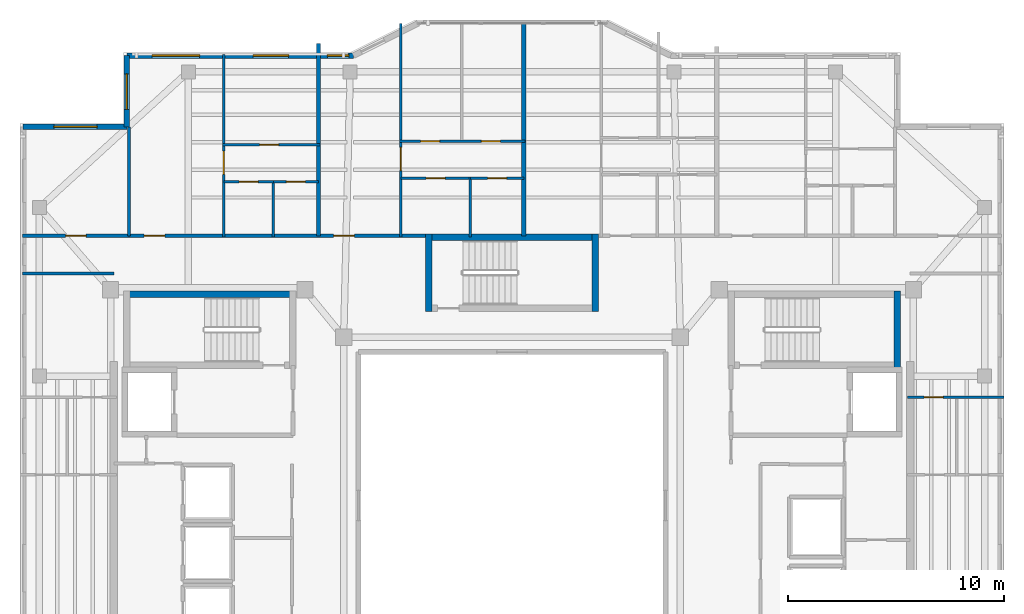
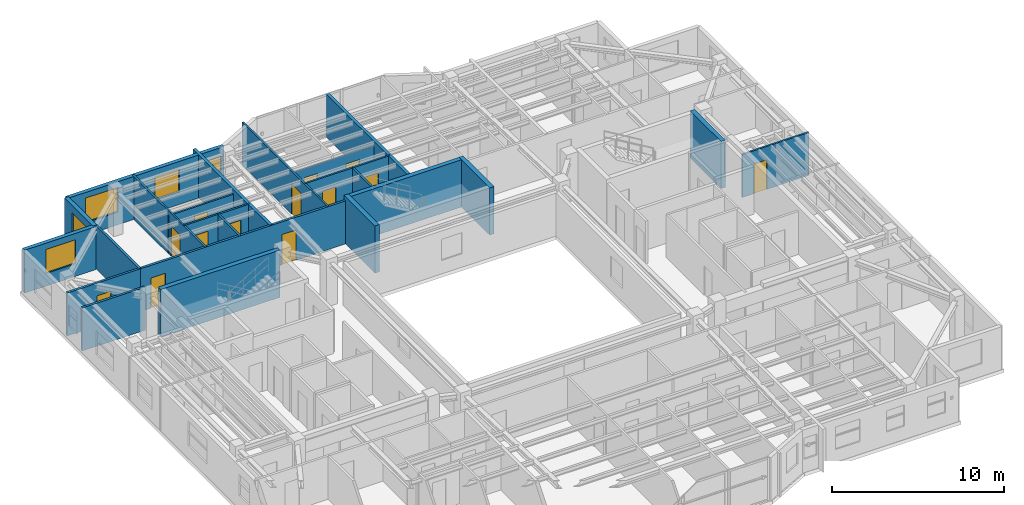
# One storey, part 10 of 15: 25 walls, 13 doors, 5 windows, 18 openings.
"""IFC4 building model written with IfcOpenShell, lengths in metres."""

from ifc_helpers import new_model, si_unit, direction, frame, frame_2d, origin, place, context, subcontext, project, spatial, rectangle, extrude, material, layer, layer_set, type_object, element, fill, save


model = new_model("IFC4")

# Units and contexts
model_context = context("Model", 3, precision=1e-05, world=origin(), true_north=direction((0.0, 1.0)))
body_context = subcontext(model_context, "Body", "Model", "MODEL_VIEW")
ifc_project = project(units=[si_unit("LENGTHUNIT", "METRE"), si_unit("AREAUNIT", "SQUARE_METRE"), si_unit("VOLUMEUNIT", "CUBIC_METRE"), si_unit("PLANEANGLEUNIT", "RADIAN"), si_unit("MASSUNIT", "GRAM", prefix="KILO")], contexts=[model_context])

# Site, building, storey
site_placement = place(None, origin())
site = spatial("IfcSite", under=ifc_project, at=site_placement, CompositionType="ELEMENT")
building_placement = place(site_placement, origin())
building = spatial("IfcBuilding", under=site, at=building_placement, Name="Tarnavaz Court Tower", CompositionType="ELEMENT")
storey_placement = place(building_placement, frame((0.0, 0.0, 268.300048828125)))
storey = spatial("IfcBuildingStorey", under=building, at=storey_placement, Name="L73", CompositionType="ELEMENT", Elevation=268.300048828125)

# Walls
ifc_material_1 = material(Name="Concrete C50/60", Category="concrete")
ifc_layer_1 = layer(ifc_material_1, 0.300048828125)
ifc_layer_set_1 = layer_set([ifc_layer_1], Name="Concrete C50/60")
wall_type_1 = type_object("IfcWallType", Name="WL-CORE-300-C50", PredefinedType="SHEAR", material=ifc_layer_set_1)
wall_1_placement = place(storey_placement, frame((-18.0, 9.7900390625, 0.0), z_axis=(0.0, 0.0, 1.0), x_axis=(1.0, 0.0, 0.0)))
element("IfcWall", 1, at=wall_1_placement, inside=storey, type_object=wall_type_1, Name="L73 West Stair Core Wall 001", PredefinedType="SHEAR", context=body_context, shape_type="SweptSolid", body=[
    extrude(rectangle(XDim=8.0, YDim=0.300048828125, at=frame_2d((4.0, 0.0))), origin(), (0.0, 0.0, 1.0), 3.349853515625),
])
wall_2_placement = place(storey_placement, frame((17.85009765625, 6.35009765625, 0.0), z_axis=(0.0, 0.0, 1.0), x_axis=(0.0, 1.0, 0.0)))
element("IfcWall", 2, at=wall_2_placement, inside=storey, type_object=wall_type_1, Name="L73 East Stair Core Wall 008", PredefinedType="SHEAR", context=body_context, shape_type="SweptSolid", body=[
    extrude(rectangle(XDim=3.58984375, YDim=0.300048828125, at=frame_2d((1.794921875, 0.0))), origin(), (0.0, 0.0, 1.0), 3.349853515625),
])
wall_3_placement = place(storey_placement, frame((-4.0, 12.43994140625, 0.0), z_axis=(0.0, 0.0, 1.0), x_axis=(1.0, 0.0, 0.0)))
element("IfcWall", 3, at=wall_3_placement, inside=storey, type_object=wall_type_1, Name="L73 North Stair Core Wall 009", PredefinedType="SHEAR", context=body_context, shape_type="SweptSolid", body=[
    extrude(rectangle(XDim=8.0, YDim=0.300048828125, at=frame_2d((4.0, 0.0))), origin(), (0.0, 0.0, 1.0), 3.349853515625),
])
for number, where, z_axis, x_axis, name in (
    (4, (-3.85009765625, 9.0, 0.0), (0.0, 0.0, 1.0), (0.0, 1.0, 0.0), "L73 North Stair Core Wall 011"),
    (5, (3.85009765625, 9.0, 0.0), (0.0, 0.0, 1.0), (0.0, 1.0, 0.0), "L73 North Stair Core Wall 012"),
):
    element("IfcWall", number, at=place(storey_placement, frame(where, z_axis=z_axis, x_axis=x_axis)), inside=storey, type_object=wall_type_1, Name=name, PredefinedType="SHEAR", context=body_context, shape_type="SweptSolid", body=[
        extrude(rectangle(XDim=3.590087890625, YDim=0.300048828125, at=frame_2d((1.794921875, 0.0))), origin(), (0.0, 0.0, 1.0), 3.349853515625),
    ])

# Wall, opening, window
ifc_material_2 = material(Name="Precast Concrete C40/50", Category="concrete")
ifc_layer_2 = layer(ifc_material_2, 0.260009765625)
ifc_layer_set_2 = layer_set([ifc_layer_2], Name="Precast Concrete C40/50")
wall_type_2 = type_object("IfcWallType", Name="WL-EXT-260", PredefinedType="SOLIDWALL", material=ifc_layer_set_2)
wall_4_placement = place(storey_placement, frame((-22.64990234375, 17.550048828125, 0.0), z_axis=(0.0, 0.0, 1.0), x_axis=(1.0, 0.0, 0.0)))
wall_4 = element("IfcWall", 6, at=wall_4_placement, inside=storey, type_object=wall_type_2, Name="L73 Exterior Terracotta Facade Wall 03", PredefinedType="SOLIDWALL", context=body_context, shape_type="SweptSolid", body=[
    extrude(rectangle(XDim=4.7998046875, YDim=0.260009765625, at=frame_2d((2.39990234375, 0.0))), origin(), (0.0, 0.0, 1.0), 3.050048828125),
])
opening_1_placement = place(wall_4_placement, frame((1.42529296875, 0.0, 0.89990234375)))
opening_1 = element("IfcOpeningElement", 7, at=opening_1_placement, cuts=wall_4, Name="Opening W08", PredefinedType="OPENING", context=body_context, shape_type="SweptSolid", body=[
    extrude(rectangle(XDim=2.0, YDim=1.699951171875, at=frame_2d((1.0, 0.85009765625))), frame((0.0, 0.139892578125, 0.0), z_axis=(0.0, -1.0, 0.0), x_axis=(1.0, 0.0, 0.0)), (0.0, 0.0, 1.0), 0.280029296875),
])
ifc_material_3 = material(Name="Double-Glazed Solar Low-E Glass", Category="glass")
window_type_1 = type_object("IfcWindowType", Name="WN-APT-2000", PartitioningType="DOUBLE_PANEL_VERTICAL", PredefinedType="WINDOW", material=ifc_material_3)
window_1_placement = place(opening_1_placement, origin())
window_1 = element("IfcWindow", 8, at=window_1_placement, inside=storey, type_object=window_type_1, Name="L73 North-West Corner Sunroom Study Window", OverallHeight=1.699951171875, OverallWidth=2.0, PartitioningType="SINGLE_PANEL", PredefinedType="WINDOW", context=body_context, shape_type="SweptSolid", body=[
    extrude(rectangle(XDim=2.0, YDim=1.699951171875, at=frame_2d((1.0, 0.85009765625))), frame((0.0, 0.030029296875, 0.0), z_axis=(0.0, -1.0, 0.0), x_axis=(1.0, 0.0, 0.0)), (0.0, 0.0, 1.0), 0.06005859375),
])
fill(opening_1, window_1)

wall_5_placement = place(storey_placement, frame((-17.85009765625, 17.550048828125, 0.0), z_axis=(0.0, 0.0, 1.0), x_axis=(0.0, 1.0, 0.0)))
wall_5 = element("IfcWall", 9, at=wall_5_placement, inside=storey, type_object=wall_type_2, Name="L73 Exterior Terracotta Facade Wall 04", PredefinedType="SOLIDWALL", context=body_context, shape_type="SweptSolid", body=[
    extrude(rectangle(XDim=3.300048828125, YDim=0.260009765625, at=frame_2d((1.64990234375, 0.0))), origin(), (0.0, 0.0, 1.0), 3.050048828125),
])
opening_2_placement = place(wall_5_placement, frame((0.8076171875, 0.0, 0.89990234375)))
opening_2 = element("IfcOpeningElement", 10, at=opening_2_placement, cuts=wall_5, Name="Opening W02", PredefinedType="OPENING", context=body_context, shape_type="SweptSolid", body=[
    extrude(rectangle(XDim=1.64990234375, YDim=1.60009765625, at=frame_2d((0.824951171875, 0.800048828125))), frame((0.0, 0.139892578125, 0.0), z_axis=(0.0, -1.0, 0.0), x_axis=(1.0, 0.0, 0.0)), (0.0, 0.0, 1.0), 0.280029296875),
])
window_type_2 = type_object("IfcWindowType", Name="WN-APT-1650", PartitioningType="DOUBLE_PANEL_VERTICAL", PredefinedType="WINDOW", material=ifc_material_3)
window_2_placement = place(opening_2_placement, origin())
window_2 = element("IfcWindow", 11, at=window_2_placement, inside=storey, type_object=window_type_2, Name="L73 Flat 01 Living and Dining Room Window", OverallHeight=1.60009765625, OverallWidth=1.64990234375, PartitioningType="SINGLE_PANEL", PredefinedType="WINDOW", context=body_context, shape_type="SweptSolid", body=[
    extrude(rectangle(XDim=1.64990234375, YDim=1.60009765625, at=frame_2d((0.824951171875, 0.800048828125))), frame((0.0, 0.030029296875, 0.0), z_axis=(0.0, -1.0, 0.0), x_axis=(1.0, 0.0, 0.0)), (0.0, 0.0, 1.0), 0.06005859375),
])
fill(opening_2, window_2)

# Wall, openings, windows
wall_6_placement = place(storey_placement, frame((-17.85009765625, 20.85009765625, 0.0), z_axis=(0.0, 0.0, 1.0), x_axis=(1.0, 0.0, 0.0)))
wall_6 = element("IfcWall", 12, at=wall_6_placement, inside=storey, type_object=wall_type_2, Name="L73 Exterior Terracotta Facade Wall 05", PredefinedType="SOLIDWALL", context=body_context, shape_type="SweptSolid", body=[
    extrude(rectangle(XDim=10.5, YDim=0.260009765625, at=frame_2d((5.25, 0.0))), origin(), (0.0, 0.0, 1.0), 3.050048828125),
])
opening_3_placement = place(wall_6_placement, frame((1.175048828125, 0.0, 0.89990234375)))
opening_3 = element("IfcOpeningElement", 13, at=opening_3_placement, cuts=wall_6, Name="Opening W07", PredefinedType="OPENING", context=body_context, shape_type="SweptSolid", body=[
    extrude(rectangle(XDim=2.199951171875, YDim=1.75, at=frame_2d((1.10009765625, 0.875))), frame((0.0, 0.139892578125, 0.0), z_axis=(0.0, -1.0, 0.0), x_axis=(1.0, 0.0, 0.0)), (0.0, 0.0, 1.0), 0.280029296875),
])
opening_4_placement = place(wall_6_placement, frame((5.85009765625, 0.0, 0.89990234375)))
opening_4 = element("IfcOpeningElement", 14, at=opening_4_placement, cuts=wall_6, Name="Opening W02", PredefinedType="OPENING", context=body_context, shape_type="SweptSolid", body=[
    extrude(rectangle(XDim=1.64990234375, YDim=1.60009765625, at=frame_2d((0.824951171875, 0.800048828125))), frame((0.0, 0.139892578125, 0.0), z_axis=(0.0, -1.0, 0.0), x_axis=(1.0, 0.0, 0.0)), (0.0, 0.0, 1.0), 0.280029296875),
])
opening_5_placement = place(wall_6_placement, frame((9.2919921875, 0.0, 0.949951171875)))
opening_5 = element("IfcOpeningElement", 15, at=opening_5_placement, cuts=wall_6, Name="Opening W14", PredefinedType="OPENING", context=body_context, shape_type="SweptSolid", body=[
    extrude(rectangle(XDim=1.0, YDim=1.5, at=frame_2d((0.5, 0.75))), frame((0.0, 0.139892578125, 0.0), z_axis=(0.0, -1.0, 0.0), x_axis=(1.0, 0.0, 0.0)), (0.0, 0.0, 1.0), 0.280029296875),
])
window_type_3 = type_object("IfcWindowType", Name="WN-APT-1000", PartitioningType="SINGLE_PANEL", PredefinedType="WINDOW", material=ifc_material_3)
window_3_placement = place(opening_5_placement, origin())
window_3 = element("IfcWindow", 16, at=window_3_placement, inside=storey, type_object=window_type_3, Name="L73 Flat 02 Living and Dining Room Window", OverallHeight=1.5, OverallWidth=1.0, PartitioningType="SINGLE_PANEL", PredefinedType="WINDOW", context=body_context, shape_type="SweptSolid", body=[
    extrude(rectangle(XDim=1.0, YDim=1.5, at=frame_2d((0.5, 0.75))), frame((0.0, 0.030029296875, 0.0), z_axis=(0.0, -1.0, 0.0), x_axis=(1.0, 0.0, 0.0)), (0.0, 0.0, 1.0), 0.06005859375),
])
fill(opening_5, window_3)
window_4_placement = place(opening_4_placement, origin())
window_4 = element("IfcWindow", 17, at=window_4_placement, inside=storey, type_object=window_type_2, Name="L73 Flat 01 Bedroom 1 Window", OverallHeight=1.60009765625, OverallWidth=1.64990234375, PartitioningType="SINGLE_PANEL", PredefinedType="WINDOW", context=body_context, shape_type="SweptSolid", body=[
    extrude(rectangle(XDim=1.64990234375, YDim=1.60009765625, at=frame_2d((0.824951171875, 0.800048828125))), frame((0.0, 0.030029296875, 0.0), z_axis=(0.0, -1.0, 0.0), x_axis=(1.0, 0.0, 0.0)), (0.0, 0.0, 1.0), 0.06005859375),
])
fill(opening_4, window_4)
window_type_4 = type_object("IfcWindowType", Name="WN-APT-2200", PartitioningType="TRIPLE_PANEL_VERTICAL", PredefinedType="WINDOW", material=ifc_material_3)
window_5_placement = place(opening_3_placement, origin())
window_5 = element("IfcWindow", 18, at=window_5_placement, inside=storey, type_object=window_type_4, Name="L73 Flat 01 Living and Dining Room Window", OverallHeight=1.75, OverallWidth=2.199951171875, PartitioningType="SINGLE_PANEL", PredefinedType="WINDOW", context=body_context, shape_type="SweptSolid", body=[
    extrude(rectangle(XDim=2.199951171875, YDim=1.75, at=frame_2d((1.10009765625, 0.875))), frame((0.0, 0.030029296875, 0.0), z_axis=(0.0, -1.0, 0.0), x_axis=(1.0, 0.0, 0.0)), (0.0, 0.0, 1.0), 0.06005859375),
])
fill(opening_3, window_5)

# Wall, openings, doors
ifc_material_4 = material(Name="Gypsum Fire-Board on Acoustic Metal Stud", Category="masonry")
ifc_layer_3 = layer(ifc_material_4, 0.14990234375)
ifc_layer_set_3 = layer_set([ifc_layer_3], Name="Gypsum Fire-Board on Acoustic Metal Stud")
wall_type_3 = type_object("IfcWallType", Name="WL-FIRE-150", PredefinedType="PARTITIONING", material=ifc_layer_set_3)
wall_7_placement = place(storey_placement, frame((-17.75, 12.5, 0.0), z_axis=(0.0, 0.0, 1.0), x_axis=(1.0, 0.0, 0.0)))
wall_7 = element("IfcWall", 19, at=wall_7_placement, inside=storey, type_object=wall_type_3, Name="L73 NW Wing Corridor Wall 060", PredefinedType="PARTITIONING", context=body_context, shape_type="SweptSolid", body=[
    extrude(rectangle(XDim=13.89990234375, YDim=0.14990234375, at=frame_2d((6.949951171875, 0.0))), origin(), (0.0, 0.0, 1.0), 3.050048828125),
])
opening_6_placement = place(wall_7_placement, frame((0.699951171875, 0.0, 0.0)))
opening_6 = element("IfcOpeningElement", 20, at=opening_6_placement, cuts=wall_7, Name="Opening D06", PredefinedType="OPENING", context=body_context, shape_type="SweptSolid", body=[
    extrude(rectangle(XDim=0.9599609375, YDim=2.14990234375, at=frame_2d((0.47998046875, 1.074951171875))), frame((0.0, 0.0849609375, 0.0), z_axis=(0.0, -1.0, 0.0), x_axis=(1.0, 0.0, 0.0)), (0.0, 0.0, 1.0), 0.169921875),
])
opening_7_placement = place(wall_7_placement, frame((9.48388671875, 0.0, 0.0)))
opening_7 = element("IfcOpeningElement", 21, at=opening_7_placement, cuts=wall_7, Name="Opening D06", PredefinedType="OPENING", context=body_context, shape_type="SweptSolid", body=[
    extrude(rectangle(XDim=0.9599609375, YDim=2.14990234375, at=frame_2d((0.47998046875, 1.074951171875))), frame((0.0, 0.0849609375, 0.0), z_axis=(0.0, -1.0, 0.0), x_axis=(1.0, 0.0, 0.0)), (0.0, 0.0, 1.0), 0.169921875),
])
ifc_material_5 = material(Name="Fire-Rated Hardwood Timber Core", Category="wood")
door_type_1 = type_object("IfcDoorType", Name="DR-FD60-950", OperationType="NOTDEFINED", PredefinedType="DOOR", material=ifc_material_5)
door_1_placement = place(opening_6_placement, origin())
door_1 = element("IfcDoor", 22, at=door_1_placement, inside=storey, type_object=door_type_1, Name="L73 Flat 01 Entrance Door", OperationType="SINGLE_SWING_RIGHT", OverallHeight=2.14990234375, OverallWidth=0.9599609375, PredefinedType="DOOR", context=body_context, shape_type="SweptSolid", body=[
    extrude(rectangle(XDim=0.9599609375, YDim=2.14990234375, at=frame_2d((0.47998046875, 1.074951171875))), frame((0.0, 0.02490234375, 0.0), z_axis=(0.0, -1.0, 0.0), x_axis=(1.0, 0.0, 0.0)), (0.0, 0.0, 1.0), 0.050048828125),
])
fill(opening_6, door_1)
door_2_placement = place(opening_7_placement, origin())
door_2 = element("IfcDoor", 23, at=door_2_placement, inside=storey, type_object=door_type_1, Name="L73 Flat 02 Entrance Door", OperationType="SINGLE_SWING_LEFT", OverallHeight=2.14990234375, OverallWidth=0.9599609375, PredefinedType="DOOR", context=body_context, shape_type="SweptSolid", body=[
    extrude(rectangle(XDim=0.9599609375, YDim=2.14990234375, at=frame_2d((0.47998046875, 1.074951171875))), frame((0.0, 0.02490234375, 0.0), z_axis=(0.0, -1.0, 0.0), x_axis=(1.0, 0.0, 0.0)), (0.0, 0.0, 1.0), 0.050048828125),
])
fill(opening_7, door_2)

# Wall
wall_8_placement = place(storey_placement, frame((-22.679931640625, 10.75, 0.0), z_axis=(0.0, 0.0, 1.0), x_axis=(1.0, 0.0, 0.0)))
element("IfcWall", 24, at=wall_8_placement, inside=storey, type_object=wall_type_3, Name="L73 Interior Partition 112", PredefinedType="PARTITIONING", context=body_context, shape_type="SweptSolid", body=[
    extrude(rectangle(XDim=4.22998046875, YDim=0.14990234375, at=frame_2d((2.114990234375, 0.0))), origin(), (0.0, 0.0, 1.0), 3.050048828125),
])

# Wall, opening, door
wall_9_placement = place(storey_placement, frame((-22.679931640625, 12.5, 0.0), z_axis=(0.0, 0.0, 1.0), x_axis=(1.0, 0.0, 0.0)))
wall_9 = element("IfcWall", 25, at=wall_9_placement, inside=storey, type_object=wall_type_3, Name="L73 Interior Partition 119", PredefinedType="PARTITIONING", context=body_context, shape_type="SweptSolid", body=[
    extrude(rectangle(XDim=4.929931640625, YDim=0.14990234375, at=frame_2d((2.46484375, 0.0))), origin(), (0.0, 0.0, 1.0), 3.050048828125),
])
opening_8_placement = place(wall_9_placement, frame((1.989990234375, 0.0, 0.0)))
opening_8 = element("IfcOpeningElement", 26, at=opening_8_placement, cuts=wall_9, Name="Opening D13", PredefinedType="OPENING", context=body_context, shape_type="SweptSolid", body=[
    extrude(rectangle(XDim=0.949951171875, YDim=2.14990234375, at=frame_2d((0.47509765625, 1.074951171875))), frame((0.0, 0.0849609375, 0.0), z_axis=(0.0, -1.0, 0.0), x_axis=(1.0, 0.0, 0.0)), (0.0, 0.0, 1.0), 0.169921875),
])
ifc_material_6 = material(Name="Engineered Oak Timber", Category="wood")
door_type_2 = type_object("IfcDoorType", Name="DR-INT-950", OperationType="NOTDEFINED", PredefinedType="DOOR", material=ifc_material_6)
door_3_placement = place(opening_8_placement, origin())
door_3 = element("IfcDoor", 27, at=door_3_placement, inside=storey, type_object=door_type_2, Name="L73 NW Sunroom Door", OperationType="SINGLE_SWING_LEFT", OverallHeight=2.14990234375, OverallWidth=0.949951171875, PredefinedType="DOOR", context=body_context, shape_type="SweptSolid", body=[
    extrude(rectangle(XDim=0.949951171875, YDim=2.14990234375, at=frame_2d((0.47509765625, 1.074951171875))), frame((0.0, 0.02490234375, 0.0), z_axis=(0.0, -1.0, 0.0), x_axis=(1.0, 0.0, 0.0)), (0.0, 0.0, 1.0), 0.050048828125),
])
fill(opening_8, door_3)

# Walls
ifc_material_7 = material(Name="Autoclaved Aerated Concrete Blockwork", Category="masonry")
ifc_layer_4 = layer(ifc_material_7, 0.199951171875)
ifc_layer_set_4 = layer_set([ifc_layer_4], Name="Autoclaved Aerated Concrete Blockwork")
wall_type_4 = type_object("IfcWallType", Name="WL-FIRE-200", PredefinedType="SOLIDWALL", material=ifc_layer_set_4)
wall_10_placement = place(storey_placement, frame((0.550048828125, 12.5, 0.0), z_axis=(0.0, 0.0, 1.0), x_axis=(0.0, 1.0, 0.0)))
element("IfcWall", 28, at=wall_10_placement, inside=storey, type_object=wall_type_4, Name="L73 North Center Party Wall 064", PredefinedType="SOLIDWALL", context=body_context, shape_type="SweptSolid", body=[
    extrude(rectangle(XDim=9.8798828125, YDim=0.199951171875, at=frame_2d((4.93994140625, 0.0))), origin(), (0.0, 0.0, 1.0), 3.050048828125),
])
wall_11_placement = place(storey_placement, frame((-8.966064453125, 12.5, 0.0), z_axis=(0.0, 0.0, 1.0), x_axis=(0.0, 1.0, 0.0)))
element("IfcWall", 29, at=wall_11_placement, inside=storey, type_object=wall_type_4, Name="L73 Party Wall 065", PredefinedType="SOLIDWALL", context=body_context, shape_type="SweptSolid", body=[
    extrude(rectangle(XDim=8.902099609375, YDim=0.199951171875, at=frame_2d((4.451171875, 0.0))), origin(), (0.0, 0.0, 1.0), 3.050048828125),
])

# Wall, opening, door
ifc_material_8 = material(Name="Moisture-Resistant Gypsum Board Partition", Category="masonry")
ifc_layer_5 = layer(ifc_material_8, 0.1201171875)
ifc_layer_set_5 = layer_set([ifc_layer_5], Name="Moisture-Resistant Gypsum Board Partition")
wall_type_5 = type_object("IfcWallType", Name="WL-PART-120", PredefinedType="PARTITIONING", material=ifc_layer_set_5)
wall_12_placement = place(storey_placement, frame((-13.35791015625, 12.43994140625, 0.0), z_axis=(0.0, 0.0, 1.0), x_axis=(0.0, 1.0, 0.0)))
wall_12 = element("IfcWall", 30, at=wall_12_placement, inside=storey, type_object=wall_type_5, Name="L73 Interior Partition 066", PredefinedType="PARTITIONING", context=body_context, shape_type="SweptSolid", body=[
    extrude(rectangle(XDim=8.4599609375, YDim=0.1201171875, at=frame_2d((4.22998046875, 0.0))), origin(), (0.0, 0.0, 1.0), 3.050048828125),
])
opening_9_placement = place(wall_12_placement, frame((2.905029296875, 0.0, 0.0)))
opening_9 = element("IfcOpeningElement", 31, at=opening_9_placement, cuts=wall_12, Name="Opening D12", PredefinedType="OPENING", context=body_context, shape_type="SweptSolid", body=[
    extrude(rectangle(XDim=1.080078125, YDim=2.14990234375, at=frame_2d((0.5400390625, 1.074951171875))), frame((0.0, 0.070068359375, 0.0), z_axis=(0.0, -1.0, 0.0), x_axis=(1.0, 0.0, 0.0)), (0.0, 0.0, 1.0), 0.14013671875),
])
door_type_3 = type_object("IfcDoorType", Name="DR-INT-1100", OperationType="NOTDEFINED", PredefinedType="DOOR", material=ifc_material_6)
door_4_placement = place(opening_9_placement, origin())
door_4 = element("IfcDoor", 32, at=door_4_placement, inside=storey, type_object=door_type_3, Name="L73 Flat 01 Foyer Door", OperationType="SINGLE_SWING_LEFT", OverallHeight=2.14990234375, OverallWidth=1.080078125, PredefinedType="DOOR", context=body_context, shape_type="SweptSolid", body=[
    extrude(rectangle(XDim=1.080078125, YDim=2.14990234375, at=frame_2d((0.5400390625, 1.074951171875))), frame((0.0, 0.02490234375, 0.0), z_axis=(0.0, -1.0, 0.0), x_axis=(1.0, 0.0, 0.0)), (0.0, 0.0, 1.0), 0.050048828125),
])
fill(opening_9, door_4)

wall_13_placement = place(storey_placement, frame((-13.35791015625, 15.0, 0.0), z_axis=(0.0, 0.0, 1.0), x_axis=(1.0, 0.0, 0.0)))
wall_13 = element("IfcWall", 33, at=wall_13_placement, inside=storey, type_object=wall_type_5, Name="L73 Interior Partition 067", PredefinedType="PARTITIONING", context=body_context, shape_type="SweptSolid", body=[
    extrude(rectangle(XDim=2.2958984375, YDim=0.1201171875, at=frame_2d((1.14794921875, 0.0))), origin(), (0.0, 0.0, 1.0), 3.050048828125),
])
opening_10_placement = place(wall_13_placement, frame((0.7080078125, 0.0, 0.0)))
opening_10 = element("IfcOpeningElement", 34, at=opening_10_placement, cuts=wall_13, Name="Opening D14", PredefinedType="OPENING", context=body_context, shape_type="SweptSolid", body=[
    extrude(rectangle(XDim=0.8798828125, YDim=2.10009765625, at=frame_2d((0.43994140625, 1.050048828125))), frame((0.0, 0.070068359375, 0.0), z_axis=(0.0, -1.0, 0.0), x_axis=(1.0, 0.0, 0.0)), (0.0, 0.0, 1.0), 0.14013671875),
])
door_type_4 = type_object("IfcDoorType", Name="DR-INT-900", OperationType="NOTDEFINED", PredefinedType="DOOR", material=ifc_material_6)
door_5_placement = place(opening_10_placement, origin())
door_5 = element("IfcDoor", 35, at=door_5_placement, inside=storey, type_object=door_type_4, Name="L73 Flat 01 Kitchen Door", OperationType="SINGLE_SWING_RIGHT", OverallHeight=2.10009765625, OverallWidth=0.8798828125, PredefinedType="DOOR", context=body_context, shape_type="SweptSolid", body=[
    extrude(rectangle(XDim=0.8798828125, YDim=2.10009765625, at=frame_2d((0.43994140625, 1.050048828125))), frame((0.0, 0.02490234375, 0.0), z_axis=(0.0, -1.0, 0.0), x_axis=(1.0, 0.0, 0.0)), (0.0, 0.0, 1.0), 0.050048828125),
])
fill(opening_10, door_5)

wall_14_placement = place(storey_placement, frame((-11.06201171875, 15.0, 0.0), z_axis=(0.0, 0.0, 1.0), x_axis=(1.0, 0.0, 0.0)))
wall_14 = element("IfcWall", 36, at=wall_14_placement, inside=storey, type_object=wall_type_5, Name="L73 Interior Partition 068", PredefinedType="PARTITIONING", context=body_context, shape_type="SweptSolid", body=[
    extrude(rectangle(XDim=2.095947265625, YDim=0.1201171875, at=frame_2d((1.0478515625, 0.0))), origin(), (0.0, 0.0, 1.0), 3.050048828125),
])
opening_11_placement = place(wall_14_placement, frame((0.60791015625, 0.0, 0.0)))
opening_11 = element("IfcOpeningElement", 37, at=opening_11_placement, cuts=wall_14, Name="Opening D14", PredefinedType="OPENING", context=body_context, shape_type="SweptSolid", body=[
    extrude(rectangle(XDim=0.8798828125, YDim=2.10009765625, at=frame_2d((0.43994140625, 1.050048828125))), frame((0.0, 0.070068359375, 0.0), z_axis=(0.0, -1.0, 0.0), x_axis=(1.0, 0.0, 0.0)), (0.0, 0.0, 1.0), 0.14013671875),
])
door_6_placement = place(opening_11_placement, origin())
door_6 = element("IfcDoor", 38, at=door_6_placement, inside=storey, type_object=door_type_4, Name="L73 Flat 01 Bathroom Door", OperationType="SINGLE_SWING_LEFT", OverallHeight=2.10009765625, OverallWidth=0.8798828125, PredefinedType="DOOR", context=body_context, shape_type="SweptSolid", body=[
    extrude(rectangle(XDim=0.8798828125, YDim=2.10009765625, at=frame_2d((0.43994140625, 1.050048828125))), frame((0.0, 0.02490234375, 0.0), z_axis=(0.0, -1.0, 0.0), x_axis=(1.0, 0.0, 0.0)), (0.0, 0.0, 1.0), 0.050048828125),
])
fill(opening_11, door_6)

wall_15_placement = place(storey_placement, frame((-13.41796875, 16.7099609375, 0.0), z_axis=(0.0, 0.0, 1.0), x_axis=(1.0, 0.0, 0.0)))
wall_15 = element("IfcWall", 39, at=wall_15_placement, inside=storey, type_object=wall_type_5, Name="L73 Interior Partition 069", PredefinedType="PARTITIONING", context=body_context, shape_type="SweptSolid", body=[
    extrude(rectangle(XDim=4.511962890625, YDim=0.1201171875, at=frame_2d((2.255859375, 0.0))), origin(), (0.0, 0.0, 1.0), 2.73486328125),
])
opening_12_placement = place(wall_15_placement, frame((1.72607421875, 0.0, 0.0)))
opening_12 = element("IfcOpeningElement", 40, at=opening_12_placement, cuts=wall_15, Name="Opening D14", PredefinedType="OPENING", context=body_context, shape_type="SweptSolid", body=[
    extrude(rectangle(XDim=0.8798828125, YDim=2.10009765625, at=frame_2d((0.43994140625, 1.050048828125))), frame((0.0, 0.070068359375, 0.0), z_axis=(0.0, -1.0, 0.0), x_axis=(1.0, 0.0, 0.0)), (0.0, 0.0, 1.0), 0.14013671875),
])
door_7_placement = place(opening_12_placement, origin())
door_7 = element("IfcDoor", 41, at=door_7_placement, inside=storey, type_object=door_type_4, Name="L73 Flat 01 Bedroom 1 Door", OperationType="SINGLE_SWING_RIGHT", OverallHeight=2.10009765625, OverallWidth=0.8798828125, PredefinedType="DOOR", context=body_context, shape_type="SweptSolid", body=[
    extrude(rectangle(XDim=0.8798828125, YDim=2.10009765625, at=frame_2d((0.43994140625, 1.050048828125))), frame((0.0, 0.02490234375, 0.0), z_axis=(0.0, -1.0, 0.0), x_axis=(1.0, 0.0, 0.0)), (0.0, 0.0, 1.0), 0.050048828125),
])
fill(opening_12, door_7)

# Wall
wall_16_placement = place(storey_placement, frame((-11.06201171875, 12.43994140625, 0.0), z_axis=(0.0, 0.0, 1.0), x_axis=(0.0, 1.0, 0.0)))
element("IfcWall", 42, at=wall_16_placement, inside=storey, type_object=wall_type_5, Name="L73 Interior Partition 070", PredefinedType="PARTITIONING", context=body_context, shape_type="SweptSolid", body=[
    extrude(rectangle(XDim=2.6201171875, YDim=0.1201171875, at=frame_2d((1.31005859375, 0.0))), origin(), (0.0, 0.0, 1.0), 3.050048828125),
])

# Wall, opening, door
wall_17_placement = place(storey_placement, frame((-5.14794921875, 12.43994140625, 0.0), z_axis=(0.0, 0.0, 1.0), x_axis=(0.0, 1.0, 0.0)))
wall_17 = element("IfcWall", 43, at=wall_17_placement, inside=storey, type_object=wall_type_5, Name="L73 Interior Partition 071", PredefinedType="PARTITIONING", context=body_context, shape_type="SweptSolid", body=[
    extrude(rectangle(XDim=9.903076171875, YDim=0.1201171875, at=frame_2d((4.95166015625, 0.0))), origin(), (0.0, 0.0, 1.0), 3.050048828125),
])
opening_13_placement = place(wall_17_placement, frame((3.074951171875, 0.0, 0.0)))
opening_13 = element("IfcOpeningElement", 44, at=opening_13_placement, cuts=wall_17, Name="Opening D12", PredefinedType="OPENING", context=body_context, shape_type="SweptSolid", body=[
    extrude(rectangle(XDim=1.080078125, YDim=2.14990234375, at=frame_2d((0.5400390625, 1.074951171875))), frame((0.0, 0.070068359375, 0.0), z_axis=(0.0, -1.0, 0.0), x_axis=(1.0, 0.0, 0.0)), (0.0, 0.0, 1.0), 0.14013671875),
])
door_8_placement = place(opening_13_placement, origin())
door_8 = element("IfcDoor", 45, at=door_8_placement, inside=storey, type_object=door_type_3, Name="L73 Flat 02 Foyer Door", OperationType="SINGLE_SWING_RIGHT", OverallHeight=2.14990234375, OverallWidth=1.080078125, PredefinedType="DOOR", context=body_context, shape_type="SweptSolid", body=[
    extrude(rectangle(XDim=1.080078125, YDim=2.14990234375, at=frame_2d((0.5400390625, 1.074951171875))), frame((0.0, 0.02490234375, 0.0), z_axis=(0.0, -1.0, 0.0), x_axis=(1.0, 0.0, 0.0)), (0.0, 0.0, 1.0), 0.050048828125),
])
fill(opening_13, door_8)

wall_18_placement = place(storey_placement, frame((-5.14794921875, 15.169921875, 0.0), z_axis=(0.0, 0.0, 1.0), x_axis=(1.0, 0.0, 0.0)))
wall_18 = element("IfcWall", 46, at=wall_18_placement, inside=storey, type_object=wall_type_5, Name="L73 Interior Partition 072", PredefinedType="PARTITIONING", context=body_context, shape_type="SweptSolid", body=[
    extrude(rectangle(XDim=3.2138671875, YDim=0.1201171875, at=frame_2d((1.60693359375, 0.0))), origin(), (0.0, 0.0, 1.0), 3.050048828125),
])
opening_14_placement = place(wall_18_placement, frame((1.1669921875, 0.0, 0.0)))
opening_14 = element("IfcOpeningElement", 47, at=opening_14_placement, cuts=wall_18, Name="Opening D14", PredefinedType="OPENING", context=body_context, shape_type="SweptSolid", body=[
    extrude(rectangle(XDim=0.8798828125, YDim=2.10009765625, at=frame_2d((0.43994140625, 1.050048828125))), frame((0.0, 0.070068359375, 0.0), z_axis=(0.0, -1.0, 0.0), x_axis=(1.0, 0.0, 0.0)), (0.0, 0.0, 1.0), 0.14013671875),
])
door_9_placement = place(opening_14_placement, origin())
door_9 = element("IfcDoor", 48, at=door_9_placement, inside=storey, type_object=door_type_4, Name="L73 Flat 02 Kitchen Door", OperationType="SINGLE_SWING_LEFT", OverallHeight=2.10009765625, OverallWidth=0.8798828125, PredefinedType="DOOR", context=body_context, shape_type="SweptSolid", body=[
    extrude(rectangle(XDim=0.8798828125, YDim=2.10009765625, at=frame_2d((0.43994140625, 1.050048828125))), frame((0.0, 0.02490234375, 0.0), z_axis=(0.0, -1.0, 0.0), x_axis=(1.0, 0.0, 0.0)), (0.0, 0.0, 1.0), 0.050048828125),
])
fill(opening_14, door_9)

wall_19_placement = place(storey_placement, frame((-1.93408203125, 15.169921875, 0.0), z_axis=(0.0, 0.0, 1.0), x_axis=(1.0, 0.0, 0.0)))
wall_19 = element("IfcWall", 49, at=wall_19_placement, inside=storey, type_object=wall_type_5, Name="L73 Interior Partition 073", PredefinedType="PARTITIONING", context=body_context, shape_type="SweptSolid", body=[
    extrude(rectangle(XDim=2.484130859375, YDim=0.1201171875, at=frame_2d((1.2421875, 0.0))), origin(), (0.0, 0.0, 1.0), 3.050048828125),
])
opening_15_placement = place(wall_19_placement, frame((0.802001953125, 0.0, 0.0)))
opening_15 = element("IfcOpeningElement", 50, at=opening_15_placement, cuts=wall_19, Name="Opening D14", PredefinedType="OPENING", context=body_context, shape_type="SweptSolid", body=[
    extrude(rectangle(XDim=0.8798828125, YDim=2.10009765625, at=frame_2d((0.43994140625, 1.050048828125))), frame((0.0, 0.070068359375, 0.0), z_axis=(0.0, -1.0, 0.0), x_axis=(1.0, 0.0, 0.0)), (0.0, 0.0, 1.0), 0.14013671875),
])
door_10_placement = place(opening_15_placement, origin())
door_10 = element("IfcDoor", 51, at=door_10_placement, inside=storey, type_object=door_type_4, Name="L73 Flat 02 Bathroom Door", OperationType="SINGLE_SWING_RIGHT", OverallHeight=2.10009765625, OverallWidth=0.8798828125, PredefinedType="DOOR", context=body_context, shape_type="SweptSolid", body=[
    extrude(rectangle(XDim=0.8798828125, YDim=2.10009765625, at=frame_2d((0.43994140625, 1.050048828125))), frame((0.0, 0.02490234375, 0.0), z_axis=(0.0, -1.0, 0.0), x_axis=(1.0, 0.0, 0.0)), (0.0, 0.0, 1.0), 0.050048828125),
])
fill(opening_15, door_10)

# Wall, openings, doors
wall_20_placement = place(storey_placement, frame((-5.2080078125, 16.8798828125, 0.0), z_axis=(0.0, 0.0, 1.0), x_axis=(1.0, 0.0, 0.0)))
wall_20 = element("IfcWall", 52, at=wall_20_placement, inside=storey, type_object=wall_type_5, Name="L73 Interior Partition 074", PredefinedType="PARTITIONING", context=body_context, shape_type="SweptSolid", body=[
    extrude(rectangle(XDim=5.818115234375, YDim=0.1201171875, at=frame_2d((2.9091796875, 0.0))), origin(), (0.0, 0.0, 1.0), 2.73486328125),
])
opening_16_placement = place(wall_20_placement, frame((0.969970703125, 0.0, 0.0)))
opening_16 = element("IfcOpeningElement", 53, at=opening_16_placement, cuts=wall_20, Name="Opening D14", PredefinedType="OPENING", context=body_context, shape_type="SweptSolid", body=[
    extrude(rectangle(XDim=0.8798828125, YDim=2.10009765625, at=frame_2d((0.43994140625, 1.050048828125))), frame((0.0, 0.070068359375, 0.0), z_axis=(0.0, -1.0, 0.0), x_axis=(1.0, 0.0, 0.0)), (0.0, 0.0, 1.0), 0.14013671875),
])
opening_17_placement = place(wall_20_placement, frame((3.7880859375, 0.0, 0.0)))
opening_17 = element("IfcOpeningElement", 54, at=opening_17_placement, cuts=wall_20, Name="Opening D14", PredefinedType="OPENING", context=body_context, shape_type="SweptSolid", body=[
    extrude(rectangle(XDim=0.8798828125, YDim=2.10009765625, at=frame_2d((0.43994140625, 1.050048828125))), frame((0.0, 0.070068359375, 0.0), z_axis=(0.0, -1.0, 0.0), x_axis=(1.0, 0.0, 0.0)), (0.0, 0.0, 1.0), 0.14013671875),
])
door_11_placement = place(opening_16_placement, origin())
door_11 = element("IfcDoor", 55, at=door_11_placement, inside=storey, type_object=door_type_4, Name="L73 Flat 02 Bedroom 1 Door", OperationType="SINGLE_SWING_LEFT", OverallHeight=2.10009765625, OverallWidth=0.8798828125, PredefinedType="DOOR", context=body_context, shape_type="SweptSolid", body=[
    extrude(rectangle(XDim=0.8798828125, YDim=2.10009765625, at=frame_2d((0.43994140625, 1.050048828125))), frame((0.0, 0.02490234375, 0.0), z_axis=(0.0, -1.0, 0.0), x_axis=(1.0, 0.0, 0.0)), (0.0, 0.0, 1.0), 0.050048828125),
])
fill(opening_16, door_11)
door_12_placement = place(opening_17_placement, origin())
door_12 = element("IfcDoor", 56, at=door_12_placement, inside=storey, type_object=door_type_4, Name="L73 Flat 02 Bedroom 2 Door", OperationType="SINGLE_SWING_RIGHT", OverallHeight=2.10009765625, OverallWidth=0.8798828125, PredefinedType="DOOR", context=body_context, shape_type="SweptSolid", body=[
    extrude(rectangle(XDim=0.8798828125, YDim=2.10009765625, at=frame_2d((0.43994140625, 1.050048828125))), frame((0.0, 0.02490234375, 0.0), z_axis=(0.0, -1.0, 0.0), x_axis=(1.0, 0.0, 0.0)), (0.0, 0.0, 1.0), 0.050048828125),
])
fill(opening_17, door_12)

# Wall
wall_21_placement = place(storey_placement, frame((-1.93408203125, 12.43994140625, 0.0), z_axis=(0.0, 0.0, 1.0), x_axis=(0.0, 1.0, 0.0)))
element("IfcWall", 57, at=wall_21_placement, inside=storey, type_object=wall_type_5, Name="L73 Interior Partition 075", PredefinedType="PARTITIONING", context=body_context, shape_type="SweptSolid", body=[
    extrude(rectangle(XDim=2.7900390625, YDim=0.1201171875, at=frame_2d((1.39501953125, 0.0))), origin(), (0.0, 0.0, 1.0), 3.050048828125),
])

# Wall, opening, door
wall_22_placement = place(storey_placement, frame((18.330078125, 5.02001953125, 0.0), z_axis=(0.0, 0.0, 1.0), x_axis=(1.0, 0.0, 0.0)))
wall_22 = element("IfcWall", 58, at=wall_22_placement, inside=storey, type_object=wall_type_5, Name="L73 Interior Partition 127", PredefinedType="PARTITIONING", context=body_context, shape_type="SweptSolid", body=[
    extrude(rectangle(XDim=4.469970703125, YDim=0.1201171875, at=frame_2d((2.23486328125, 0.0))), origin(), (0.0, 0.0, 1.0), 3.050048828125),
])
opening_18_placement = place(wall_22_placement, frame((0.77001953125, 0.0, 0.0)))
opening_18 = element("IfcOpeningElement", 59, at=opening_18_placement, cuts=wall_22, Name="Opening D14", PredefinedType="OPENING", context=body_context, shape_type="SweptSolid", body=[
    extrude(rectangle(XDim=0.8798828125, YDim=2.10009765625, at=frame_2d((0.43994140625, 1.050048828125))), frame((0.0, 0.070068359375, 0.0), z_axis=(0.0, -1.0, 0.0), x_axis=(1.0, 0.0, 0.0)), (0.0, 0.0, 1.0), 0.14013671875),
])
door_13_placement = place(opening_18_placement, origin())
door_13 = element("IfcDoor", 60, at=door_13_placement, inside=storey, type_object=door_type_4, Name="L73 Flat 09 Study Door", OperationType="SINGLE_SWING_RIGHT", OverallHeight=2.10009765625, OverallWidth=0.8798828125, PredefinedType="DOOR", context=body_context, shape_type="SweptSolid", body=[
    extrude(rectangle(XDim=0.8798828125, YDim=2.10009765625, at=frame_2d((0.43994140625, 1.050048828125))), frame((0.0, 0.02490234375, 0.0), z_axis=(0.0, -1.0, 0.0), x_axis=(1.0, 0.0, 0.0)), (0.0, 0.0, 1.0), 0.050048828125),
])
fill(opening_18, door_13)

# Wall
ifc_material_9 = material(Name="Gypsum Plasterboard Acoustic Partition", Category="masonry")
ifc_layer_6 = layer(ifc_material_9, 0.139892578125)
ifc_layer_set_6 = layer_set([ifc_layer_6], Name="Gypsum Plasterboard Acoustic Partition")
wall_type_6 = type_object("IfcWallType", Name="WL-PART-150", PredefinedType="PARTITIONING", material=ifc_layer_set_6)
wall_23_placement = place(storey_placement, frame((-17.75, 12.5, 0.0), z_axis=(0.0, 0.0, 1.0), x_axis=(0.0, 1.0, 0.0)))
element("IfcWall", 61, at=wall_23_placement, inside=storey, type_object=wall_type_6, Name="L73 Interior Partition 117", PredefinedType="PARTITIONING", context=body_context, shape_type="SweptSolid", body=[
    extrude(rectangle(XDim=5.050048828125, YDim=0.139892578125, at=frame_2d((2.52490234375, 0.0))), origin(), (0.0, 0.0, 1.0), 3.050048828125),
])

save(model, "model.ifc")
